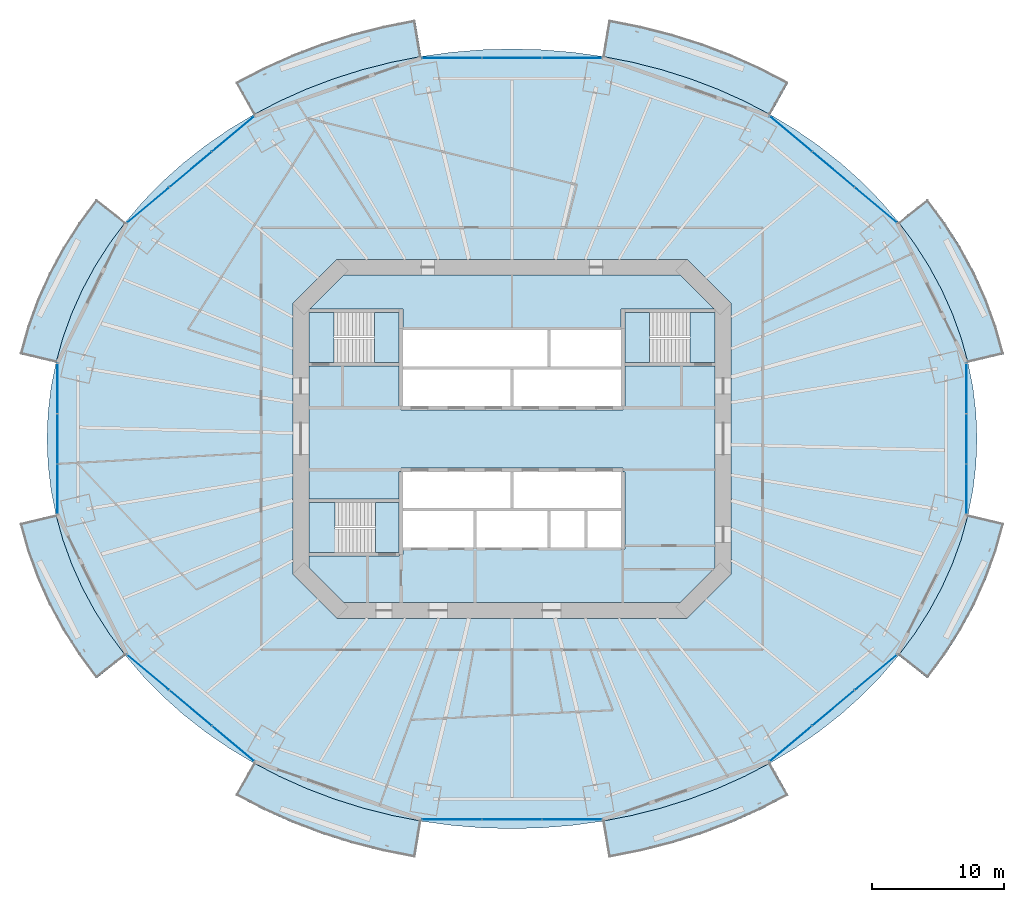
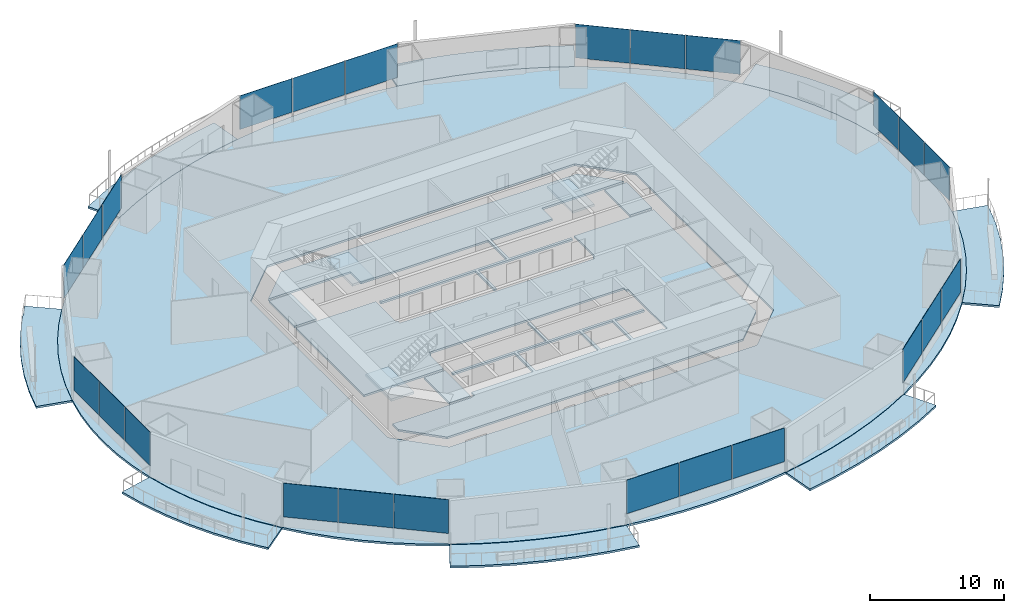
# One storey, part 12 of 22: 24 plates, 17 slabs, 11 elements without a shape of their own.
"""IFC4 building model written with IfcOpenShell, lengths in metres."""

from ifc_helpers import new_model, si_unit, direction, frame, origin, origin_2d, place, context, subcontext, project, spatial, polyline, rectangle, outline, extrude, material, layer, layer_set, type_object, element, aggregate, save


model = new_model("IFC4")

# Units and contexts
model_context = context("Model", 3, precision=1e-05, world=origin(), true_north=direction((0.0, 1.0)))
body_context = subcontext(model_context, "Body", "Model", "MODEL_VIEW")
ifc_project = project(units=[si_unit("LENGTHUNIT", "METRE"), si_unit("AREAUNIT", "SQUARE_METRE"), si_unit("VOLUMEUNIT", "CUBIC_METRE"), si_unit("PLANEANGLEUNIT", "RADIAN"), si_unit("MASSUNIT", "GRAM", prefix="KILO")], contexts=[model_context])

# Site, building, storey
site_placement = place(None, origin())
site = spatial("IfcSite", under=ifc_project, at=site_placement, CompositionType="ELEMENT")
building_placement = place(site_placement, origin())
building = spatial("IfcBuilding", under=site, at=building_placement, Name="Marenthal Gate Tower", CompositionType="ELEMENT")
storey_placement = place(building_placement, frame((0.0, 0.0, 82.800048828125)))
storey = spatial("IfcBuildingStorey", under=building, at=storey_placement, Name="L16", CompositionType="ELEMENT", Elevation=82.800048828125)

# Slabs
ifc_material_1 = material(Name="Concrete 40 MPa", Category="concrete")
ifc_layer_1 = layer(ifc_material_1, 0.179931640625)
ifc_layer_set_1 = layer_set([ifc_layer_1], Name="Balcony deck 180")
slab_type_1 = type_object("IfcSlabType", Name="Balcony deck 180", PredefinedType="USERDEFINED", material=ifc_layer_set_1)
slab_1_placement = place(storey_placement, frame((0.0, 0.0, -0.219970703125)))
element("IfcSlab", 1, at=slab_1_placement, inside=storey, type_object=slab_type_1, Name="Balcony deck L16 bay 1", ObjectType="BALCONY", PredefinedType="USERDEFINED", context=body_context, shape_type="SweptSolid", body=[
    extrude(outline(polyline([(34.553955078125, 5.7626953125), (34.030517578125, 7.64501953125), (33.361328125, 9.49462890625), (32.54931640625, 11.3037109375), (31.59765625, 13.064208984375), (30.510986328125, 14.76904296875), (29.29345703125, 16.410400390625), (31.483154296875, 18.155517578125), (32.81689453125, 16.35693359375), (34.01123046875, 14.48388671875), (35.0595703125, 12.5439453125), (35.95654296875, 10.54541015625), (36.697509765625, 8.497314453125), (37.2783203125, 6.408935546875), (34.553955078125, 5.7626953125)])), origin(), (0.0, 0.0, 1.0), 0.179931640625),
])
slab_2_placement = place(storey_placement, frame((0.0, 0.0, -0.219970703125)))
element("IfcSlab", 2, at=slab_2_placement, inside=storey, type_object=slab_type_1, Name="Balcony deck L16 bay 3", ObjectType="BALCONY", PredefinedType="USERDEFINED", context=body_context, shape_type="SweptSolid", body=[
    extrude(outline(polyline([(19.5732421875, 24.559814453125), (17.615478515625, 25.580810546875), (15.582275390625, 26.49169921875), (13.482421875, 27.28955078125), (11.32470703125, 27.970458984375), (9.118408203125, 28.531494140625), (6.873291015625, 28.970458984375), (7.333740234375, 31.732177734375), (9.732177734375, 31.263427734375), (12.091064453125, 30.66357421875), (14.40087890625, 29.9345703125), (16.652099609375, 29.079345703125), (18.83544921875, 28.10107421875), (20.94189453125, 27.002685546875), (19.5732421875, 24.559814453125)])), origin(), (0.0, 0.0, 1.0), 0.179931640625),
])
slab_3_placement = place(storey_placement, frame((0.0, 0.0, -0.219970703125)))
element("IfcSlab", 3, at=slab_3_placement, inside=storey, type_object=slab_type_1, Name="Balcony deck L16 bay 5", ObjectType="BALCONY", PredefinedType="USERDEFINED", context=body_context, shape_type="SweptSolid", body=[
    extrude(outline(polyline([(-6.873291015625, 28.970458984375), (-9.118408203125, 28.531494140625), (-11.32470703125, 27.970458984375), (-13.482421875, 27.28955078125), (-15.582275390625, 26.49169921875), (-17.615478515625, 25.580810546875), (-19.5732421875, 24.559814453125), (-20.94189453125, 27.002685546875), (-18.83544921875, 28.10107421875), (-16.652099609375, 29.079345703125), (-14.40087890625, 29.9345703125), (-12.091064453125, 30.66357421875), (-9.732177734375, 31.263427734375), (-7.333740234375, 31.732177734375), (-6.873291015625, 28.970458984375)])), origin(), (0.0, 0.0, 1.0), 0.179931640625),
])
slab_4_placement = place(storey_placement, frame((0.0, 0.0, -0.219970703125)))
element("IfcSlab", 4, at=slab_4_placement, inside=storey, type_object=slab_type_1, Name="Balcony deck L16 bay 7", ObjectType="BALCONY", PredefinedType="USERDEFINED", context=body_context, shape_type="SweptSolid", body=[
    extrude(outline(polyline([(-29.29345703125, 16.410400390625), (-30.510986328125, 14.76904296875), (-31.59765625, 13.064208984375), (-32.54931640625, 11.3037109375), (-33.361328125, 9.49462890625), (-34.030517578125, 7.64501953125), (-34.553955078125, 5.7626953125), (-37.2783203125, 6.408935546875), (-36.697509765625, 8.497314453125), (-35.95654296875, 10.54541015625), (-35.0595703125, 12.5439453125), (-34.01123046875, 14.48388671875), (-32.81689453125, 16.35693359375), (-31.483154296875, 18.155517578125), (-29.29345703125, 16.410400390625)])), origin(), (0.0, 0.0, 1.0), 0.179931640625),
])
slab_5_placement = place(storey_placement, frame((0.0, 0.0, -0.219970703125)))
element("IfcSlab", 5, at=slab_5_placement, inside=storey, type_object=slab_type_1, Name="Balcony deck L16 bay 9", ObjectType="BALCONY", PredefinedType="USERDEFINED", context=body_context, shape_type="SweptSolid", body=[
    extrude(outline(polyline([(-34.553955078125, -5.7626953125), (-34.030517578125, -7.64501953125), (-33.361328125, -9.49462890625), (-32.54931640625, -11.3037109375), (-31.59765625, -13.064208984375), (-30.510986328125, -14.76904296875), (-29.29345703125, -16.410400390625), (-31.483154296875, -18.155517578125), (-32.81689453125, -16.35693359375), (-34.01123046875, -14.48388671875), (-35.0595703125, -12.5439453125), (-35.95654296875, -10.54541015625), (-36.697509765625, -8.497314453125), (-37.2783203125, -6.408935546875), (-34.553955078125, -5.7626953125)])), origin(), (0.0, 0.0, 1.0), 0.179931640625),
])
slab_6_placement = place(storey_placement, frame((0.0, 0.0, -0.219970703125)))
element("IfcSlab", 6, at=slab_6_placement, inside=storey, type_object=slab_type_1, Name="Balcony deck L16 bay 11", ObjectType="BALCONY", PredefinedType="USERDEFINED", context=body_context, shape_type="SweptSolid", body=[
    extrude(outline(polyline([(-19.5732421875, -24.559814453125), (-17.615478515625, -25.580810546875), (-15.582275390625, -26.49169921875), (-13.482421875, -27.28955078125), (-11.32470703125, -27.970458984375), (-9.118408203125, -28.531494140625), (-6.873291015625, -28.970458984375), (-7.333740234375, -31.732177734375), (-9.732177734375, -31.263427734375), (-12.091064453125, -30.66357421875), (-14.40087890625, -29.9345703125), (-16.652099609375, -29.079345703125), (-18.83544921875, -28.10107421875), (-20.94189453125, -27.002685546875), (-19.5732421875, -24.559814453125)])), origin(), (0.0, 0.0, 1.0), 0.179931640625),
])
slab_7_placement = place(storey_placement, frame((0.0, 0.0, -0.219970703125)))
element("IfcSlab", 7, at=slab_7_placement, inside=storey, type_object=slab_type_1, Name="Balcony deck L16 bay 13", ObjectType="BALCONY", PredefinedType="USERDEFINED", context=body_context, shape_type="SweptSolid", body=[
    extrude(outline(polyline([(6.873291015625, -28.970458984375), (9.118408203125, -28.531494140625), (11.32470703125, -27.970458984375), (13.482421875, -27.28955078125), (15.582275390625, -26.49169921875), (17.615478515625, -25.580810546875), (19.5732421875, -24.559814453125), (20.94189453125, -27.002685546875), (18.83544921875, -28.10107421875), (16.652099609375, -29.079345703125), (14.40087890625, -29.9345703125), (12.091064453125, -30.66357421875), (9.732177734375, -31.263427734375), (7.333740234375, -31.732177734375), (6.873291015625, -28.970458984375)])), origin(), (0.0, 0.0, 1.0), 0.179931640625),
])
slab_8_placement = place(storey_placement, frame((0.0, 0.0, -0.219970703125)))
element("IfcSlab", 8, at=slab_8_placement, inside=storey, type_object=slab_type_1, Name="Balcony deck L16 bay 15", ObjectType="BALCONY", PredefinedType="USERDEFINED", context=body_context, shape_type="SweptSolid", body=[
    extrude(outline(polyline([(29.29345703125, -16.410400390625), (30.510986328125, -14.76904296875), (31.59765625, -13.064208984375), (32.54931640625, -11.3037109375), (33.361328125, -9.49462890625), (34.030517578125, -7.64501953125), (34.553955078125, -5.7626953125), (37.2783203125, -6.408935546875), (36.697509765625, -8.497314453125), (35.95654296875, -10.54541015625), (35.0595703125, -12.5439453125), (34.01123046875, -14.48388671875), (32.81689453125, -16.35693359375), (31.483154296875, -18.155517578125), (29.29345703125, -16.410400390625)])), origin(), (0.0, 0.0, 1.0), 0.179931640625),
])
ifc_material_2 = material(Name="Concrete 50 MPa", Category="concrete")
ifc_layer_2 = layer(ifc_material_2, 0.179931640625)
ifc_layer_set_2 = layer_set([ifc_layer_2], Name="Core floor slab 180")
slab_type_2 = type_object("IfcSlabType", Name="Core floor slab 180", PredefinedType="FLOOR", material=ifc_layer_set_2)
slab_9_placement = place(storey_placement, frame((0.0, 0.0, -0.179931640625)))
element("IfcSlab", 9, at=slab_9_placement, inside=storey, type_object=slab_type_2, Name="Core floor L16", PredefinedType="FLOOR", context=body_context, shape_type="SweptSolid", body=[
    extrude(outline(polyline([(15.39990234375, -9.75146484375), (12.75146484375, -12.39990234375), (-12.75146484375, -12.39990234375), (-15.39990234375, -9.75146484375), (-15.39990234375, -8.875), (-8.550048828125, -8.875), (-8.550048828125, -8.75), (-8.25, -8.75), (-8.25, -8.239990234375), (-5.60009765625, -8.239990234375), (-2.909912109375, -8.239990234375), (-2.909912109375, -5.4599609375), (-5.60009765625, -5.4599609375), (-8.25, -5.4599609375), (-8.25, -5.239990234375), (-5.60009765625, -5.239990234375), (-2.800048828125, -5.239990234375), (-0.110107421875, -5.239990234375), (-0.110107421875, -2.5), (0.110107421875, -2.5), (0.110107421875, -5.239990234375), (2.800048828125, -5.239990234375), (5.60009765625, -5.239990234375), (8.25, -5.239990234375), (8.25, -5.4599609375), (5.7099609375, -5.4599609375), (5.7099609375, -8.239990234375), (8.25, -8.239990234375), (8.25, -8.35009765625), (8.550048828125, -8.35009765625), (8.550048828125, -2.5), (8.39990234375, -2.5), (8.39990234375, -2.199951171875), (-8.39990234375, -2.199951171875), (-8.39990234375, -2.5), (-8.550048828125, -2.5), (-8.550048828125, -4.574951171875), (-15.39990234375, -4.574951171875), (-15.39990234375, 5.52490234375), (-8.550048828125, 5.52490234375), (-8.550048828125, 2.5), (-8.39990234375, 2.5), (-8.39990234375, 2.199951171875), (8.39990234375, 2.199951171875), (8.39990234375, 2.5), (8.550048828125, 2.5), (8.550048828125, 5.52490234375), (15.39990234375, 5.52490234375), (15.39990234375, -9.75146484375)]), holes=[polyline([(2.68994140625, -5.4599609375), (0.0, -5.4599609375), (-2.68994140625, -5.4599609375), (-2.68994140625, -8.239990234375), (0.0, -8.239990234375), (2.68994140625, -8.239990234375), (2.68994140625, -5.4599609375)]), polyline([(5.489990234375, -5.4599609375), (2.909912109375, -5.4599609375), (2.909912109375, -8.239990234375), (5.489990234375, -8.239990234375), (5.489990234375, -5.4599609375)])]), origin(), (0.0, 0.0, 1.0), 0.179931640625),
])
slab_10_placement = place(storey_placement, frame((0.0, 0.0, -0.179931640625)))
element("IfcSlab", 10, at=slab_10_placement, inside=storey, type_object=slab_type_2, Name="Core floor L16", PredefinedType="FLOOR", context=body_context, shape_type="SweptSolid", body=[
    extrude(outline(polyline([(15.39990234375, 5.77490234375), (13.5, 5.77490234375), (13.5, 9.574951171875), (15.39990234375, 9.574951171875), (15.39990234375, 5.77490234375)])), origin(), (0.0, 0.0, 1.0), 0.179931640625),
])
slab_11_placement = place(storey_placement, frame((0.0, 0.0, -0.179931640625)))
element("IfcSlab", 11, at=slab_11_placement, inside=storey, type_object=slab_type_2, Name="Core floor L16", PredefinedType="FLOOR", context=body_context, shape_type="SweptSolid", body=[
    extrude(outline(polyline([(12.75146484375, 12.39990234375), (15.326416015625, 9.824951171875), (8.550048828125, 9.824951171875), (8.25, 9.824951171875), (8.25, 8.35009765625), (8.25, 8.239990234375), (5.60009765625, 8.239990234375), (2.909912109375, 8.239990234375), (2.909912109375, 5.4599609375), (5.60009765625, 5.4599609375), (8.25, 5.4599609375), (8.25, 5.239990234375), (5.60009765625, 5.239990234375), (2.800048828125, 5.239990234375), (0.110107421875, 5.239990234375), (0.110107421875, 2.5), (-0.110107421875, 2.5), (-0.110107421875, 5.239990234375), (-2.800048828125, 5.239990234375), (-5.60009765625, 5.239990234375), (-8.25, 5.239990234375), (-8.25, 5.4599609375), (-5.60009765625, 5.4599609375), (-2.800048828125, 5.4599609375), (0.0, 5.4599609375), (2.68994140625, 5.4599609375), (2.68994140625, 8.239990234375), (0.0, 8.239990234375), (-2.800048828125, 8.239990234375), (-5.60009765625, 8.239990234375), (-8.25, 8.239990234375), (-8.25, 8.35009765625), (-8.25, 9.824951171875), (-8.550048828125, 9.824951171875), (-15.326416015625, 9.824951171875), (-12.75146484375, 12.39990234375), (12.75146484375, 12.39990234375)])), origin(), (0.0, 0.0, 1.0), 0.179931640625),
])
slab_12_placement = place(storey_placement, frame((0.0, 0.0, -0.179931640625)))
element("IfcSlab", 12, at=slab_12_placement, inside=storey, type_object=slab_type_2, Name="Core floor L16", PredefinedType="FLOOR", context=body_context, shape_type="SweptSolid", body=[
    extrude(outline(polyline([(-15.39990234375, 9.574951171875), (-13.5, 9.574951171875), (-13.5, 5.77490234375), (-15.39990234375, 5.77490234375), (-15.39990234375, 9.574951171875)])), origin(), (0.0, 0.0, 1.0), 0.179931640625),
])
slab_13_placement = place(storey_placement, frame((0.0, 0.0, -0.179931640625)))
element("IfcSlab", 13, at=slab_13_placement, inside=storey, type_object=slab_type_2, Name="Core floor L16", PredefinedType="FLOOR", context=body_context, shape_type="SweptSolid", body=[
    extrude(outline(polyline([(-8.550048828125, -8.625), (-10.35009765625, -8.625), (-10.35009765625, -4.824951171875), (-8.550048828125, -4.824951171875), (-8.550048828125, -8.625)])), origin(), (0.0, 0.0, 1.0), 0.179931640625),
])
ifc_material_3 = material(Name="Concrete 35 MPa", Category="concrete")
ifc_layer_3 = layer(ifc_material_3, 0.179931640625)
ifc_layer_set_3 = layer_set([ifc_layer_3], Name="Floor slab 180")
slab_type_3 = type_object("IfcSlabType", Name="Floor slab 180", PredefinedType="FLOOR", material=ifc_layer_set_3)
slab_14_placement = place(storey_placement, frame((0.0, 0.0, -0.179931640625)))
element("IfcSlab", 14, at=slab_14_placement, inside=storey, type_object=slab_type_3, Name="SL-L16-01", PredefinedType="FLOOR", context=body_context, shape_type="SweptSolid", body=[
    extrude(outline(polyline([(35.23095703125, 0.0), (35.155517578125, 1.931884765625), (34.9296875, 3.85546875), (34.553955078125, 5.7626953125), (34.030517578125, 7.64501953125), (33.361328125, 9.49462890625), (32.54931640625, 11.3037109375), (31.59765625, 13.064208984375), (30.510986328125, 14.76904296875), (29.29345703125, 16.410400390625), (27.95068359375, 17.981689453125), (26.488037109375, 19.475830078125), (24.912109375, 20.886474609375), (23.2294921875, 22.207763671875), (21.447265625, 23.43408203125), (19.5732421875, 24.559814453125), (17.615478515625, 25.580810546875), (15.582275390625, 26.49169921875), (13.482421875, 27.28955078125), (11.32470703125, 27.970458984375), (9.118408203125, 28.531494140625), (6.873291015625, 28.970458984375), (4.5986328125, 29.285400390625), (2.30419921875, 29.474853515625), (0.0, 29.5380859375), (-2.30419921875, 29.474853515625), (-4.5986328125, 29.285400390625), (-6.873291015625, 28.970458984375), (-9.118408203125, 28.531494140625), (-11.32470703125, 27.970458984375), (-13.482421875, 27.28955078125), (-15.582275390625, 26.49169921875), (-17.615478515625, 25.580810546875), (-19.5732421875, 24.559814453125), (-21.447265625, 23.43408203125), (-23.2294921875, 22.207763671875), (-24.912109375, 20.886474609375), (-26.488037109375, 19.475830078125), (-27.95068359375, 17.981689453125), (-29.29345703125, 16.410400390625), (-30.510986328125, 14.76904296875), (-31.59765625, 13.064208984375), (-32.54931640625, 11.3037109375), (-33.361328125, 9.49462890625), (-34.030517578125, 7.64501953125), (-34.553955078125, 5.7626953125), (-34.9296875, 3.85546875), (-35.155517578125, 1.931884765625), (-35.23095703125, 0.0), (-35.155517578125, -1.931884765625), (-34.9296875, -3.85546875), (-34.553955078125, -5.7626953125), (-34.030517578125, -7.64501953125), (-33.361328125, -9.49462890625), (-32.54931640625, -11.3037109375), (-31.59765625, -13.064208984375), (-30.510986328125, -14.76904296875), (-29.29345703125, -16.410400390625), (-27.95068359375, -17.981689453125), (-26.488037109375, -19.475830078125), (-24.912109375, -20.886474609375), (-23.2294921875, -22.207763671875), (-21.447265625, -23.43408203125), (-19.5732421875, -24.559814453125), (-17.615478515625, -25.580810546875), (-15.582275390625, -26.49169921875), (-13.482421875, -27.28955078125), (-11.32470703125, -27.970458984375), (-9.118408203125, -28.531494140625), (-6.873291015625, -28.970458984375), (-4.5986328125, -29.285400390625), (-2.30419921875, -29.474853515625), (0.0, -29.5380859375), (2.30419921875, -29.474853515625), (4.5986328125, -29.285400390625), (6.873291015625, -28.970458984375), (9.118408203125, -28.531494140625), (11.32470703125, -27.970458984375), (13.482421875, -27.28955078125), (15.582275390625, -26.49169921875), (17.615478515625, -25.580810546875), (19.5732421875, -24.559814453125), (21.447265625, -23.43408203125), (23.2294921875, -22.207763671875), (24.912109375, -20.886474609375), (26.488037109375, -19.475830078125), (27.95068359375, -17.981689453125), (29.29345703125, -16.410400390625), (30.510986328125, -14.76904296875), (31.59765625, -13.064208984375), (32.54931640625, -11.3037109375), (33.361328125, -9.49462890625), (34.030517578125, -7.64501953125), (34.553955078125, -5.7626953125), (34.9296875, -3.85546875), (35.155517578125, -1.931884765625), (35.23095703125, 0.0)]), holes=[polyline([(13.24853515625, -13.60009765625), (16.60009765625, -10.24853515625), (16.60009765625, 10.24853515625), (13.24853515625, 13.60009765625), (-13.24853515625, 13.60009765625), (-16.60009765625, 10.24853515625), (-16.60009765625, -10.24853515625), (-13.24853515625, -13.60009765625), (13.24853515625, -13.60009765625)])]), origin(), (0.0, 0.0, 1.0), 0.179931640625),
])

# Curtain wall, plates
ifc_material_4 = material(Name="Aluminium and glass", Category="aluminium")
curtain_wall_type = type_object("IfcCurtainWallType", Name="Curtain wall typical low", PredefinedType="NOTDEFINED", material=ifc_material_4)
curtain_wall_1_placement = place(storey_placement, origin())
curtain_wall_1 = element("IfcCurtainWall", 15, at=curtain_wall_1_placement, inside=storey, type_object=curtain_wall_type, Name="Curtain wall L16 bay 2", PredefinedType="NOTDEFINED")
ifc_material_5 = material(Name="Glass, laminated insulating unit", Category="glass")
ifc_layer_4 = layer(ifc_material_5, 0.030029296875)
ifc_layer_set_4 = layer_set([ifc_layer_4], Name="Glass panel 30 typical low")
plate_type = type_object("IfcPlateType", Name="Glass panel 30 typical low", PredefinedType="CURTAIN_PANEL", material=ifc_layer_set_4)
plate_1_placement = place(storey_placement, frame((27.56396484375, 17.70947265625, 0.89990234375), z_axis=(0.0, 0.0, 1.0), x_axis=(-0.766513427604, 0.642228281301, 0.0)))
plate_1 = element("IfcPlate", 16, at=plate_1_placement, type_object=plate_type, Name="Glass panel L16 bay 2.1", PredefinedType="CURTAIN_PANEL", context=body_context, shape_type="SweptSolid", body=[
    extrude(rectangle(XDim=4.132568359375, YDim=0.030029296875, at=origin_2d()), origin(), (0.0, 0.0, 1.0), 3.070068359375),
])
plate_2_placement = place(storey_placement, frame((24.35009765625, 20.40185546875, 0.89990234375), z_axis=(0.0, 0.0, 1.0), x_axis=(-0.766513427604, 0.642228281301, 0.0)))
plate_2 = element("IfcPlate", 17, at=plate_2_placement, type_object=plate_type, Name="Glass panel L16 bay 2.2", PredefinedType="CURTAIN_PANEL", context=body_context, shape_type="SweptSolid", body=[
    extrude(rectangle(XDim=4.132568359375, YDim=0.030029296875, at=origin_2d()), origin(), (0.0, 0.0, 1.0), 3.070068359375),
])
plate_3_placement = place(storey_placement, frame((21.136474609375, 23.0947265625, 0.89990234375), z_axis=(0.0, 0.0, 1.0), x_axis=(-0.766513427604, 0.642228281301, 0.0)))
plate_3 = element("IfcPlate", 18, at=plate_3_placement, type_object=plate_type, Name="Glass panel L16 bay 2.3", PredefinedType="CURTAIN_PANEL", context=body_context, shape_type="SweptSolid", body=[
    extrude(rectangle(XDim=4.1328125, YDim=0.030029296875, at=origin_2d()), origin(), (0.0, 0.0, 1.0), 3.070068359375),
])
aggregate(curtain_wall_1, [plate_1, plate_2, plate_3])

curtain_wall_2_placement = place(storey_placement, origin())
curtain_wall_2 = element("IfcCurtainWall", 19, at=curtain_wall_2_placement, inside=storey, type_object=curtain_wall_type, Name="Curtain wall L16 bay 4", PredefinedType="NOTDEFINED")
plate_4_placement = place(storey_placement, frame((4.546630859375, 28.852783203125, 0.89990234375), z_axis=(0.0, 0.0, 1.0), x_axis=(-1.0, 0.0, 0.0)))
plate_4 = element("IfcPlate", 20, at=plate_4_placement, type_object=plate_type, Name="Glass panel L16 bay 4.1", PredefinedType="CURTAIN_PANEL", context=body_context, shape_type="SweptSolid", body=[
    extrude(rectangle(XDim=4.486572265625, YDim=0.030029296875, at=origin_2d()), origin(), (0.0, 0.0, 1.0), 3.070068359375),
])
plate_5_placement = place(storey_placement, frame((0.0, 28.852783203125, 0.89990234375), z_axis=(0.0, 0.0, 1.0), x_axis=(-1.0, 0.0, 0.0)))
plate_5 = element("IfcPlate", 21, at=plate_5_placement, type_object=plate_type, Name="Glass panel L16 bay 4.2", PredefinedType="CURTAIN_PANEL", context=body_context, shape_type="SweptSolid", body=[
    extrude(rectangle(XDim=4.486572265625, YDim=0.030029296875, at=origin_2d()), origin(), (0.0, 0.0, 1.0), 3.070068359375),
])
plate_6_placement = place(storey_placement, frame((-4.546630859375, 28.852783203125, 0.89990234375), z_axis=(0.0, 0.0, 1.0), x_axis=(-1.0, 0.0, 0.0)))
plate_6 = element("IfcPlate", 22, at=plate_6_placement, type_object=plate_type, Name="Glass panel L16 bay 4.3", PredefinedType="CURTAIN_PANEL", context=body_context, shape_type="SweptSolid", body=[
    extrude(rectangle(XDim=4.486572265625, YDim=0.030029296875, at=origin_2d()), origin(), (0.0, 0.0, 1.0), 3.070068359375),
])
aggregate(curtain_wall_2, [plate_4, plate_5, plate_6])

curtain_wall_3_placement = place(storey_placement, origin())
curtain_wall_3 = element("IfcCurtainWall", 23, at=curtain_wall_3_placement, inside=storey, type_object=curtain_wall_type, Name="Curtain wall L16 bay 6", PredefinedType="NOTDEFINED")
plate_7_placement = place(storey_placement, frame((-21.136474609375, 23.0947265625, 0.89990234375), z_axis=(0.0, 0.0, 1.0), x_axis=(-0.766513427604, -0.642228281301, 0.0)))
plate_7 = element("IfcPlate", 24, at=plate_7_placement, type_object=plate_type, Name="Glass panel L16 bay 6.1", PredefinedType="CURTAIN_PANEL", context=body_context, shape_type="SweptSolid", body=[
    extrude(rectangle(XDim=4.132568359375, YDim=0.030029296875, at=origin_2d()), origin(), (0.0, 0.0, 1.0), 3.070068359375),
])
plate_8_placement = place(storey_placement, frame((-24.35009765625, 20.402099609375, 0.89990234375), z_axis=(0.0, 0.0, 1.0), x_axis=(-0.766513427604, -0.642228281301, 0.0)))
plate_8 = element("IfcPlate", 25, at=plate_8_placement, type_object=plate_type, Name="Glass panel L16 bay 6.2", PredefinedType="CURTAIN_PANEL", context=body_context, shape_type="SweptSolid", body=[
    extrude(rectangle(XDim=4.132568359375, YDim=0.030029296875, at=origin_2d()), origin(), (0.0, 0.0, 1.0), 3.070068359375),
])
plate_9_placement = place(storey_placement, frame((-27.56396484375, 17.70947265625, 0.89990234375), z_axis=(0.0, 0.0, 1.0), x_axis=(-0.766513427604, -0.642228281301, 0.0)))
plate_9 = element("IfcPlate", 26, at=plate_9_placement, type_object=plate_type, Name="Glass panel L16 bay 6.3", PredefinedType="CURTAIN_PANEL", context=body_context, shape_type="SweptSolid", body=[
    extrude(rectangle(XDim=4.1328125, YDim=0.030029296875, at=origin_2d()), origin(), (0.0, 0.0, 1.0), 3.070068359375),
])
aggregate(curtain_wall_3, [plate_7, plate_8, plate_9])

curtain_wall_4_placement = place(storey_placement, origin())
curtain_wall_4 = element("IfcCurtainWall", 27, at=curtain_wall_4_placement, inside=storey, type_object=curtain_wall_type, Name="Curtain wall L16 bay 8", PredefinedType="NOTDEFINED")
plate_10_placement = place(storey_placement, frame((-34.436279296875, 3.80615234375, 0.89990234375), z_axis=(0.0, 0.0, 1.0), x_axis=(0.0, -1.0, 0.0)))
plate_10 = element("IfcPlate", 28, at=plate_10_placement, type_object=plate_type, Name="Glass panel L16 bay 8.1", PredefinedType="CURTAIN_PANEL", context=body_context, shape_type="SweptSolid", body=[
    extrude(rectangle(XDim=3.74609375, YDim=0.030029296875, at=origin_2d()), origin(), (0.0, 0.0, 1.0), 3.070068359375),
])
plate_11_placement = place(storey_placement, frame((-34.436279296875, 0.0, 0.89990234375), z_axis=(0.0, 0.0, 1.0), x_axis=(0.0, -1.0, 0.0)))
plate_11 = element("IfcPlate", 29, at=plate_11_placement, type_object=plate_type, Name="Glass panel L16 bay 8.2", PredefinedType="CURTAIN_PANEL", context=body_context, shape_type="SweptSolid", body=[
    extrude(rectangle(XDim=3.74609375, YDim=0.030029296875, at=origin_2d()), origin(), (0.0, 0.0, 1.0), 3.070068359375),
])
plate_12_placement = place(storey_placement, frame((-34.436279296875, -3.80615234375, 0.89990234375), z_axis=(0.0, 0.0, 1.0), x_axis=(0.0, -1.0, 0.0)))
plate_12 = element("IfcPlate", 30, at=plate_12_placement, type_object=plate_type, Name="Glass panel L16 bay 8.3", PredefinedType="CURTAIN_PANEL", context=body_context, shape_type="SweptSolid", body=[
    extrude(rectangle(XDim=3.74609375, YDim=0.030029296875, at=origin_2d()), origin(), (0.0, 0.0, 1.0), 3.070068359375),
])
aggregate(curtain_wall_4, [plate_10, plate_11, plate_12])

curtain_wall_5_placement = place(storey_placement, origin())
curtain_wall_5 = element("IfcCurtainWall", 31, at=curtain_wall_5_placement, inside=storey, type_object=curtain_wall_type, Name="Curtain wall L16 bay 10", PredefinedType="NOTDEFINED")
plate_13_placement = place(storey_placement, frame((-27.56396484375, -17.70947265625, 0.89990234375), z_axis=(0.0, 0.0, 1.0), x_axis=(0.766513427604, -0.642228281301, 0.0)))
plate_13 = element("IfcPlate", 32, at=plate_13_placement, type_object=plate_type, Name="Glass panel L16 bay 10.1", PredefinedType="CURTAIN_PANEL", context=body_context, shape_type="SweptSolid", body=[
    extrude(rectangle(XDim=4.132568359375, YDim=0.030029296875, at=origin_2d()), origin(), (0.0, 0.0, 1.0), 3.070068359375),
])
plate_14_placement = place(storey_placement, frame((-24.35009765625, -20.40185546875, 0.89990234375), z_axis=(0.0, 0.0, 1.0), x_axis=(0.766513427604, -0.642228281301, 0.0)))
plate_14 = element("IfcPlate", 33, at=plate_14_placement, type_object=plate_type, Name="Glass panel L16 bay 10.2", PredefinedType="CURTAIN_PANEL", context=body_context, shape_type="SweptSolid", body=[
    extrude(rectangle(XDim=4.132568359375, YDim=0.030029296875, at=origin_2d()), origin(), (0.0, 0.0, 1.0), 3.070068359375),
])
plate_15_placement = place(storey_placement, frame((-21.136474609375, -23.0947265625, 0.89990234375), z_axis=(0.0, 0.0, 1.0), x_axis=(0.766513427604, -0.642228281301, 0.0)))
plate_15 = element("IfcPlate", 34, at=plate_15_placement, type_object=plate_type, Name="Glass panel L16 bay 10.3", PredefinedType="CURTAIN_PANEL", context=body_context, shape_type="SweptSolid", body=[
    extrude(rectangle(XDim=4.1328125, YDim=0.030029296875, at=origin_2d()), origin(), (0.0, 0.0, 1.0), 3.070068359375),
])
aggregate(curtain_wall_5, [plate_13, plate_14, plate_15])

curtain_wall_6_placement = place(storey_placement, origin())
curtain_wall_6 = element("IfcCurtainWall", 35, at=curtain_wall_6_placement, inside=storey, type_object=curtain_wall_type, Name="Curtain wall L16 bay 12", PredefinedType="NOTDEFINED")
plate_16_placement = place(storey_placement, frame((-4.546630859375, -28.852783203125, 0.89990234375), z_axis=(0.0, 0.0, 1.0), x_axis=(1.0, 0.0, 0.0)))
plate_16 = element("IfcPlate", 36, at=plate_16_placement, type_object=plate_type, Name="Glass panel L16 bay 12.1", PredefinedType="CURTAIN_PANEL", context=body_context, shape_type="SweptSolid", body=[
    extrude(rectangle(XDim=4.486572265625, YDim=0.030029296875, at=origin_2d()), origin(), (0.0, 0.0, 1.0), 3.070068359375),
])
plate_17_placement = place(storey_placement, frame((0.0, -28.852783203125, 0.89990234375), z_axis=(0.0, 0.0, 1.0), x_axis=(1.0, 0.0, 0.0)))
plate_17 = element("IfcPlate", 37, at=plate_17_placement, type_object=plate_type, Name="Glass panel L16 bay 12.2", PredefinedType="CURTAIN_PANEL", context=body_context, shape_type="SweptSolid", body=[
    extrude(rectangle(XDim=4.486572265625, YDim=0.030029296875, at=origin_2d()), origin(), (0.0, 0.0, 1.0), 3.070068359375),
])
plate_18_placement = place(storey_placement, frame((4.546630859375, -28.852783203125, 0.89990234375), z_axis=(0.0, 0.0, 1.0), x_axis=(1.0, 0.0, 0.0)))
plate_18 = element("IfcPlate", 38, at=plate_18_placement, type_object=plate_type, Name="Glass panel L16 bay 12.3", PredefinedType="CURTAIN_PANEL", context=body_context, shape_type="SweptSolid", body=[
    extrude(rectangle(XDim=4.486572265625, YDim=0.030029296875, at=origin_2d()), origin(), (0.0, 0.0, 1.0), 3.070068359375),
])
aggregate(curtain_wall_6, [plate_16, plate_17, plate_18])

curtain_wall_7_placement = place(storey_placement, origin())
curtain_wall_7 = element("IfcCurtainWall", 39, at=curtain_wall_7_placement, inside=storey, type_object=curtain_wall_type, Name="Curtain wall L16 bay 14", PredefinedType="NOTDEFINED")
plate_19_placement = place(storey_placement, frame((21.136474609375, -23.0947265625, 0.89990234375), z_axis=(0.0, 0.0, 1.0), x_axis=(0.766513427604, 0.642228281301, 0.0)))
plate_19 = element("IfcPlate", 40, at=plate_19_placement, type_object=plate_type, Name="Glass panel L16 bay 14.1", PredefinedType="CURTAIN_PANEL", context=body_context, shape_type="SweptSolid", body=[
    extrude(rectangle(XDim=4.132568359375, YDim=0.030029296875, at=origin_2d()), origin(), (0.0, 0.0, 1.0), 3.070068359375),
])
plate_20_placement = place(storey_placement, frame((24.35009765625, -20.402099609375, 0.89990234375), z_axis=(0.0, 0.0, 1.0), x_axis=(0.766513427604, 0.642228281301, 0.0)))
plate_20 = element("IfcPlate", 41, at=plate_20_placement, type_object=plate_type, Name="Glass panel L16 bay 14.2", PredefinedType="CURTAIN_PANEL", context=body_context, shape_type="SweptSolid", body=[
    extrude(rectangle(XDim=4.132568359375, YDim=0.030029296875, at=origin_2d()), origin(), (0.0, 0.0, 1.0), 3.070068359375),
])
plate_21_placement = place(storey_placement, frame((27.56396484375, -17.70947265625, 0.89990234375), z_axis=(0.0, 0.0, 1.0), x_axis=(0.766513427604, 0.642228281301, 0.0)))
plate_21 = element("IfcPlate", 42, at=plate_21_placement, type_object=plate_type, Name="Glass panel L16 bay 14.3", PredefinedType="CURTAIN_PANEL", context=body_context, shape_type="SweptSolid", body=[
    extrude(rectangle(XDim=4.1328125, YDim=0.030029296875, at=origin_2d()), origin(), (0.0, 0.0, 1.0), 3.070068359375),
])
aggregate(curtain_wall_7, [plate_19, plate_20, plate_21])

curtain_wall_8_placement = place(storey_placement, origin())
curtain_wall_8 = element("IfcCurtainWall", 43, at=curtain_wall_8_placement, inside=storey, type_object=curtain_wall_type, Name="Curtain wall L16 bay 16", PredefinedType="NOTDEFINED")
plate_22_placement = place(storey_placement, frame((34.436279296875, -3.80615234375, 0.89990234375), z_axis=(0.0, 0.0, 1.0), x_axis=(0.0, 1.0, 0.0)))
plate_22 = element("IfcPlate", 44, at=plate_22_placement, type_object=plate_type, Name="Glass panel L16 bay 16.1", PredefinedType="CURTAIN_PANEL", context=body_context, shape_type="SweptSolid", body=[
    extrude(rectangle(XDim=3.74609375, YDim=0.030029296875, at=origin_2d()), origin(), (0.0, 0.0, 1.0), 3.070068359375),
])
plate_23_placement = place(storey_placement, frame((34.436279296875, 0.0, 0.89990234375), z_axis=(0.0, 0.0, 1.0), x_axis=(0.0, 1.0, 0.0)))
plate_23 = element("IfcPlate", 45, at=plate_23_placement, type_object=plate_type, Name="Glass panel L16 bay 16.2", PredefinedType="CURTAIN_PANEL", context=body_context, shape_type="SweptSolid", body=[
    extrude(rectangle(XDim=3.74609375, YDim=0.030029296875, at=origin_2d()), origin(), (0.0, 0.0, 1.0), 3.070068359375),
])
plate_24_placement = place(storey_placement, frame((34.436279296875, 3.80615234375, 0.89990234375), z_axis=(0.0, 0.0, 1.0), x_axis=(0.0, 1.0, 0.0)))
plate_24 = element("IfcPlate", 46, at=plate_24_placement, type_object=plate_type, Name="Glass panel L16 bay 16.3", PredefinedType="CURTAIN_PANEL", context=body_context, shape_type="SweptSolid", body=[
    extrude(rectangle(XDim=3.74609375, YDim=0.030029296875, at=origin_2d()), origin(), (0.0, 0.0, 1.0), 3.070068359375),
])
aggregate(curtain_wall_8, [plate_22, plate_23, plate_24])

# Stair, slab
ifc_material_6 = material(Name="Concrete 40 MPa", Category="concrete")
stair_type = type_object("IfcStairType", Name="Exit stair 1800", PredefinedType="HALF_TURN_STAIR", material=ifc_material_6)
stair_1_placement = place(storey_placement, origin())
stair_1 = element("IfcStair", 47, at=stair_1_placement, inside=storey, type_object=stair_type, Name="Stair ST1", PredefinedType="HALF_TURN_STAIR")
ifc_material_7 = material(Name="Concrete 40 MPa", Category="concrete")
ifc_layer_5 = layer(ifc_material_7, 0.199951171875)
ifc_layer_set_5 = layer_set([ifc_layer_5], Name="Stair landing 200")
slab_type_4 = type_object("IfcSlabType", Name="Stair landing 200", PredefinedType="LANDING", material=ifc_layer_set_5)
slab_15_placement = place(storey_placement, frame((0.0, 0.0, 1.875)))
slab_15 = element("IfcSlab", 48, at=slab_15_placement, type_object=slab_type_4, Name="ST1 landing 1", PredefinedType="LANDING", context=body_context, shape_type="SweptSolid", body=[
    extrude(outline(polyline([(-10.419921875, 5.77490234375), (-8.550048828125, 5.77490234375), (-8.550048828125, 9.574951171875), (-10.419921875, 9.574951171875), (-10.419921875, 5.77490234375)])), origin(), (0.0, 0.0, 1.0), 0.199951171875),
])
aggregate(stair_1, [slab_15])

stair_2_placement = place(storey_placement, origin())
stair_2 = element("IfcStair", 49, at=stair_2_placement, inside=storey, type_object=stair_type, Name="Stair ST2", PredefinedType="HALF_TURN_STAIR")
slab_16_placement = place(storey_placement, frame((0.0, 0.0, 1.875)))
slab_16 = element("IfcSlab", 50, at=slab_16_placement, type_object=slab_type_4, Name="ST2 landing 1", PredefinedType="LANDING", context=body_context, shape_type="SweptSolid", body=[
    extrude(outline(polyline([(-15.39990234375, -8.625), (-13.429931640625, -8.625), (-13.429931640625, -4.824951171875), (-15.39990234375, -4.824951171875), (-15.39990234375, -8.625)])), origin(), (0.0, 0.0, 1.0), 0.199951171875),
])
aggregate(stair_2, [slab_16])

stair_3_placement = place(storey_placement, origin())
stair_3 = element("IfcStair", 51, at=stair_3_placement, inside=storey, type_object=stair_type, Name="Stair ST3", PredefinedType="HALF_TURN_STAIR")
slab_17_placement = place(storey_placement, frame((0.0, 0.0, 1.875)))
slab_17 = element("IfcSlab", 52, at=slab_17_placement, type_object=slab_type_4, Name="ST3 landing 1", PredefinedType="LANDING", context=body_context, shape_type="SweptSolid", body=[
    extrude(outline(polyline([(8.550048828125, 5.77490234375), (10.419921875, 5.77490234375), (10.419921875, 9.574951171875), (8.550048828125, 9.574951171875), (8.550048828125, 5.77490234375)])), origin(), (0.0, 0.0, 1.0), 0.199951171875),
])
aggregate(stair_3, [slab_17])

save(model, "model.ifc")
